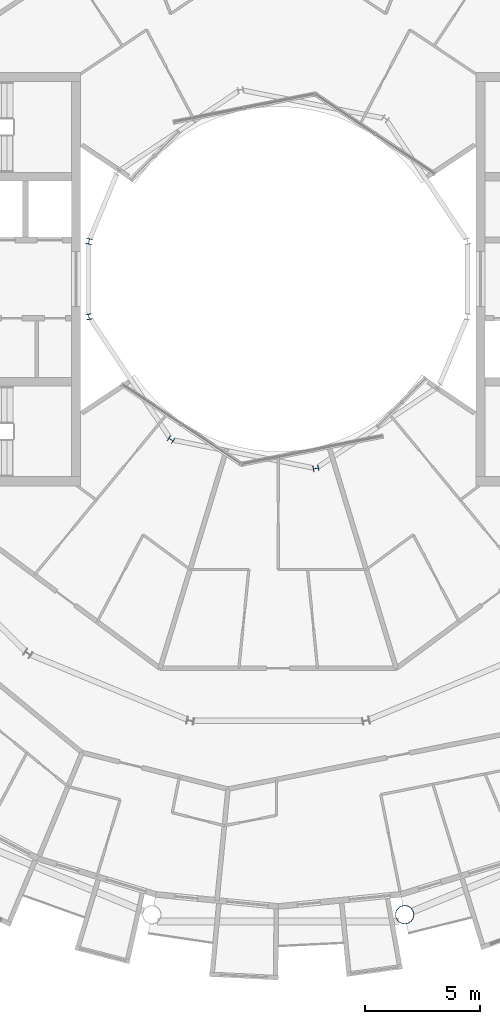
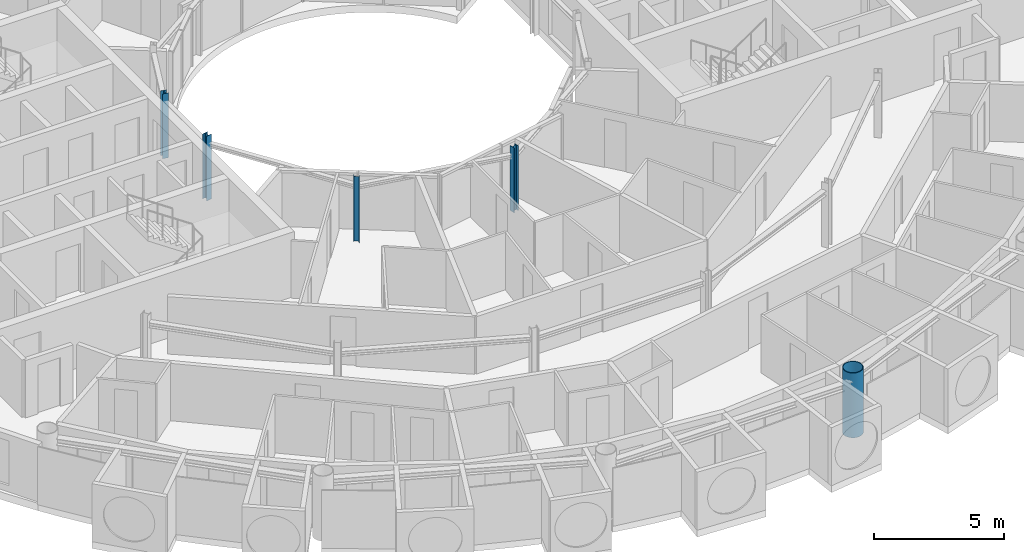
# One storey, part 2 of 28: 5 columns.
"""IFC4 building model written with IfcOpenShell, lengths in metres."""

from ifc_helpers import new_model, si_unit, direction, frame, origin, origin_2d, place, context, subcontext, project, spatial, hollow_circle, i_section, extrude, material, material_profile, profile_set, type_object, element, save


model = new_model("IFC4")

# Units and contexts
model_context = context("Model", 3, precision=1e-05, world=origin(), true_north=direction((0.0, 1.0)))
body_context = subcontext(model_context, "Body", "Model", "MODEL_VIEW")
ifc_project = project(units=[si_unit("LENGTHUNIT", "METRE"), si_unit("AREAUNIT", "SQUARE_METRE"), si_unit("VOLUMEUNIT", "CUBIC_METRE"), si_unit("PLANEANGLEUNIT", "RADIAN"), si_unit("MASSUNIT", "GRAM", prefix="KILO")], contexts=[model_context])

# Site, building, storey
site_placement = place(None, origin())
site = spatial("IfcSite", under=ifc_project, at=site_placement, CompositionType="ELEMENT")
building_placement = place(site_placement, origin())
building = spatial("IfcBuilding", under=site, at=building_placement, Name="Maasbend Ring Residences", CompositionType="ELEMENT")
storey_placement = place(building_placement, frame((0.0, 0.0, 227.949951171875)))
storey = spatial("IfcBuildingStorey", under=building, at=storey_placement, Name="L65", CompositionType="ELEMENT", Elevation=227.949951171875)

# Columns
ifc_material_1 = material(Name="Composite concrete-filled steel tube S460NH / C80/95", Category="concrete")
ifc_material_profile_1 = material_profile(ifc_material_1, hollow_circle(Radius=0.406494140625, WallThickness=0.030029296875, at=origin_2d()), Name="Composite tube column CHS 813x30")
ifc_profile_set_1 = profile_set([ifc_material_profile_1], Name="Composite concrete-filled steel tube S460NH / C80/95")
column_type_1 = type_object("IfcColumnType", Name="Composite tube column CHS 813x30", PredefinedType="COLUMN", material=ifc_profile_set_1)
column_placement = place(storey_placement, frame((5.50146484375, -27.658203125, 0.0), z_axis=(0.0, 0.0, 1.0), x_axis=(1.0, 0.0, 0.0)))
element("IfcColumn", 1, at=column_placement, inside=storey, type_object=column_type_1, Name="Outer column R13", PredefinedType="COLUMN", context=body_context, shape_type="SweptSolid", body=[
    extrude(hollow_circle(Radius=0.406494140625, WallThickness=0.030029296875, at=origin_2d()), origin(), (0.0, 0.0, 1.0), 3.050048828125),
])
ifc_material_2 = material(Name="Steel S355J2", Category="steel")
ifc_material_profile_2 = material_profile(ifc_material_2, i_section(OverallWidth=0.239990234375, OverallDepth=0.22998046875, WebThickness=0.007568359375, FlangeThickness=0.011962890625, FilletRadius=0.02099609375, at=origin_2d()), Name="HEA 240")
ifc_profile_set_2 = profile_set([ifc_material_profile_2], Name="Steel S355J2")
column_type_2 = type_object("IfcColumnType", Name="Steel column HEA 240", PredefinedType="COLUMN", material=ifc_profile_set_2)
for number, where, z_axis, x_axis, name in (
    (2, (-8.238525390625, 1.638916015625, 0.0), (0.0, 0.0, 1.0), (-0.980785280403, 0.195090322016, 0.0), "Well ring column R8"),
    (3, (-8.238525390625, -1.638916015625, 0.0), (0.0, 0.0, 1.0), (-0.980785280403, -0.195090322016, 0.0), "Well ring column R9"),
    (4, (-4.666748046875, -6.984375, 0.0), (0.0, 0.0, 1.0), (-0.55557023302, -0.831469612303, 0.0), "Well ring column R11"),
    (5, (1.638916015625, -8.238525390625, 0.0), (0.0, 0.0, 1.0), (0.195090322016, -0.980785280403, 0.0), "Well ring column R13"),
):
    element("IfcColumn", number, at=place(storey_placement, frame(where, z_axis=z_axis, x_axis=x_axis)), inside=storey, type_object=column_type_2, Name=name, PredefinedType="COLUMN", context=body_context, shape_type="SweptSolid", body=[
        extrude(i_section(OverallWidth=0.239990234375, OverallDepth=0.22998046875, WebThickness=0.007568359375, FlangeThickness=0.011962890625, FilletRadius=0.02099609375, at=origin_2d()), origin(), (0.0, 0.0, 1.0), 3.050048828125),
    ])

save(model, "model.ifc")
